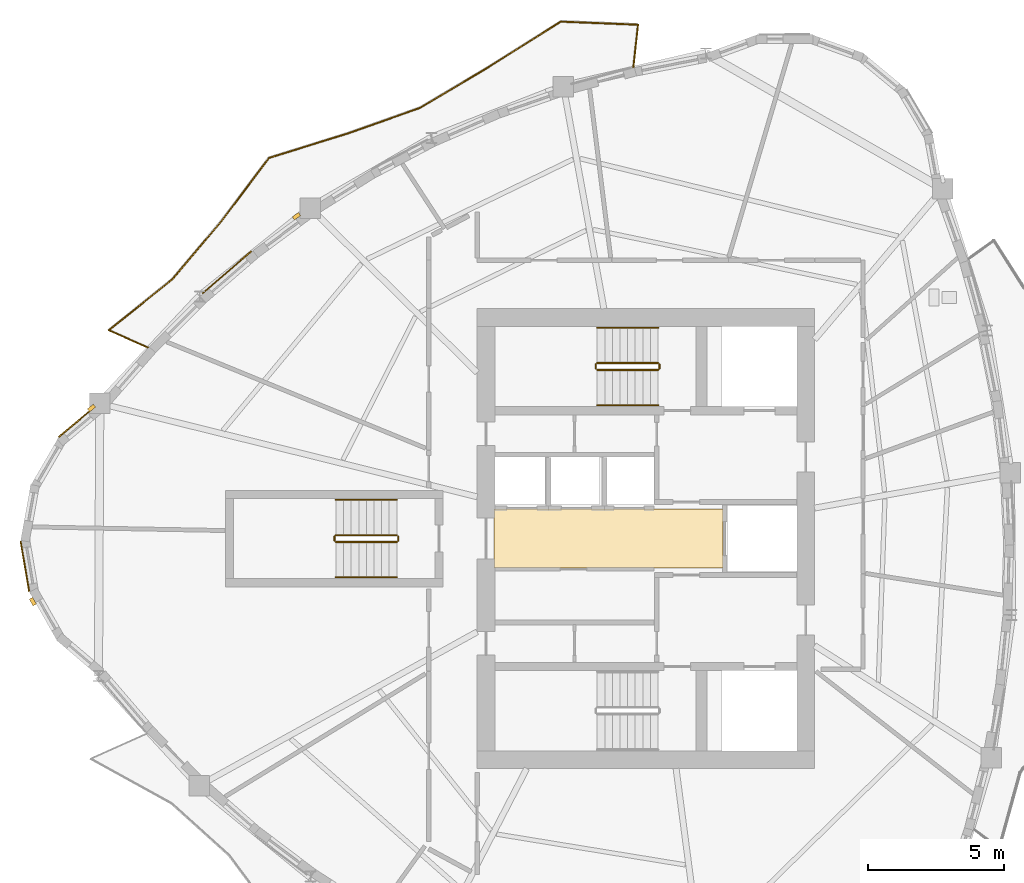
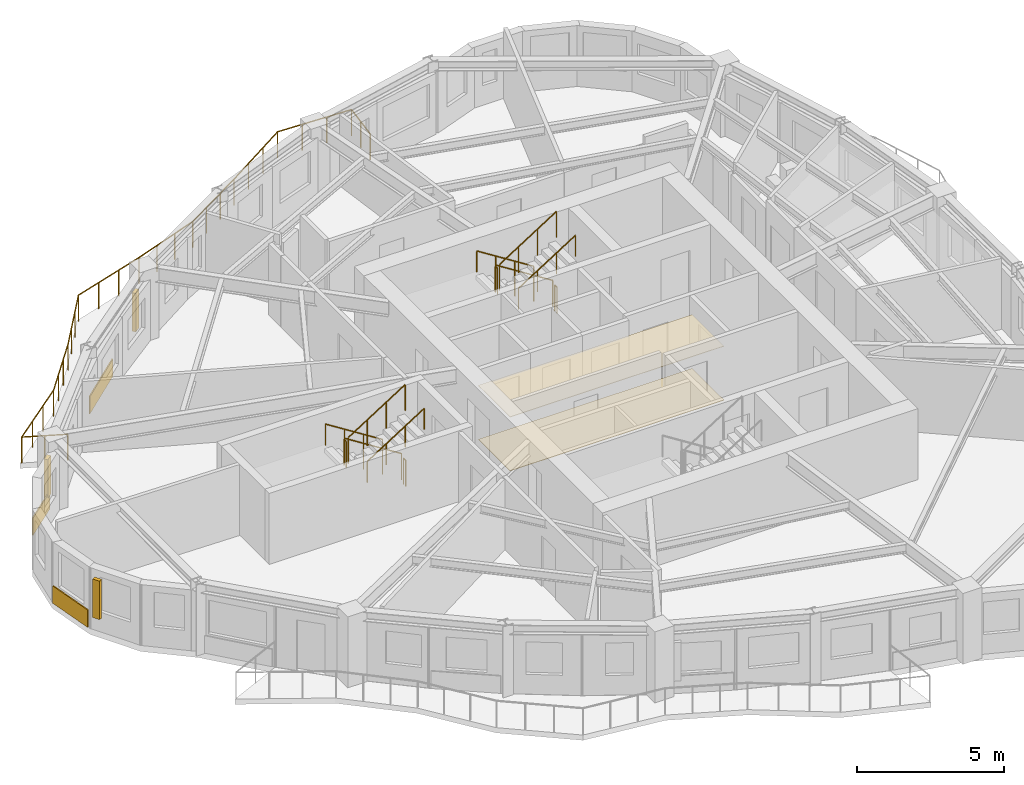
# One storey, part 10 of 12: 13 railings, 5 coverings, 3 shading devices.
"""IFC4 building model written with IfcOpenShell, lengths in metres."""

from ifc_helpers import new_model, si_unit, direction, frame, origin, origin_2d, place, context, subcontext, project, spatial, polyline, rectangle, circle, outline, extrude, source, transform, mapped, material, layer, layer_set, type_object, element, save


model = new_model("IFC4")

# Units and contexts
model_context = context("Model", 3, precision=1e-05, world=origin(), true_north=direction((0.0, 1.0)))
body_context = subcontext(model_context, "Body", "Model", "MODEL_VIEW")
ifc_project = project(units=[si_unit("LENGTHUNIT", "METRE"), si_unit("AREAUNIT", "SQUARE_METRE"), si_unit("VOLUMEUNIT", "CUBIC_METRE"), si_unit("PLANEANGLEUNIT", "RADIAN"), si_unit("MASSUNIT", "GRAM", prefix="KILO")], contexts=[model_context])

# Site, building, storey
site_placement = place(None, origin())
site = spatial("IfcSite", under=ifc_project, at=site_placement, CompositionType="ELEMENT")
building_placement = place(site_placement, origin())
building = spatial("IfcBuilding", under=site, at=building_placement, Name="Qafzar Sky-Pleat Residences", CompositionType="ELEMENT")
storey_placement = place(building_placement, frame((0.0, 0.0, 177.800048828125)))
storey = spatial("IfcBuildingStorey", under=building, at=storey_placement, Name="L53", CompositionType="ELEMENT", Elevation=177.800048828125)

# Coverings
ifc_material_1 = material(Name="Perforated acoustic gypsum board ceiling")
ifc_layer_1 = layer(ifc_material_1, 0.02001953125)
ifc_layer_set_1 = layer_set([ifc_layer_1], Name="Perforated acoustic gypsum board ceiling")
covering_type_1 = type_object("IfcCoveringType", Name="COV-CEIL-ACOUSTIC", PredefinedType="CEILING", material=ifc_layer_set_1)
covering_1_placement = place(storey_placement, frame((0.0, 0.0, 2.239990234375)))
element("IfcCovering", 1, at=covering_1_placement, inside=storey, type_object=covering_type_1, Name="L53 Passenger Lift Lobby Acoustic Ceiling", PredefinedType="CEILING", context=body_context, shape_type="SweptSolid", body=[
    extrude(outline(polyline([(33.179931640625, 24.919921875), (24.77001953125, 24.919921875), (24.77001953125, 27.080078125), (33.179931640625, 27.080078125), (33.179931640625, 24.919921875)])), origin(), (0.0, 0.0, 1.0), 0.02001953125),
])
ifc_material_2 = material(Name="Honed porcelain and Riyadh stone tile flooring", Category="masonry")
ifc_layer_2 = layer(ifc_material_2, 0.02001953125)
ifc_layer_set_2 = layer_set([ifc_layer_2], Name="Honed porcelain and Riyadh stone tile flooring")
covering_type_2 = type_object("IfcCoveringType", Name="COV-FLR-PORCELAIN", PredefinedType="FLOORING", material=ifc_layer_set_2)
covering_2_placement = place(storey_placement, origin())
element("IfcCovering", 2, at=covering_2_placement, inside=storey, type_object=covering_type_2, Name="L53 Passenger Lift Lobby Honed Stone Flooring", PredefinedType="FLOORING", context=body_context, shape_type="SweptSolid", body=[
    extrude(outline(polyline([(33.179931640625, 24.919921875), (24.77001953125, 24.919921875), (24.77001953125, 27.080078125), (33.179931640625, 27.080078125), (33.179931640625, 24.919921875)])), origin(), (0.0, 0.0, 1.0), 0.02001953125),
])

# Shading devices
ifc_material_3 = material(Name="Honed Riyadh limestone solar fin", Category="masonry")
ifc_layer_3 = layer(ifc_material_3, 0.139892578125)
ifc_layer_set_3 = layer_set([ifc_layer_3], Name="Honed Riyadh limestone solar fin")
shading_device_type = type_object("IfcShadingDeviceType", Name="SHD-FIN-STONE", PredefinedType="SHUTTER", material=ifc_layer_set_3)
shared_shape_1 = source(origin(), body_context, "Body", "SweptSolid", [
    extrude(rectangle(XDim=0.139892578125, YDim=0.280029296875, at=origin_2d()), origin(), (0.0, 0.0, 1.0), 1.60009765625),
])
for number, where, z_axis, x_axis, name in (
    (3, (9.977783203125, 30.7958984375, 0.599853515625), (0.0, 0.0, 1.0), (-0.642173926269, 0.766558966042, 0.0), "L53 Limestone Solar Fin 1"),
    (4, (7.822998046875, 23.68310546875, 0.599853515625), (0.0, 0.0, 1.0), (-0.869636147996, -0.493693194301, 0.0), "L53 Limestone Solar Fin 5"),
    (5, (17.51025390625, 37.845947265625, 0.599853515625), (0.0, 0.0, 1.0), (-0.594869963507, 0.803821949512, 0.0), "L53 Limestone Solar Fin 45"),
):
    element("IfcShadingDevice", number, at=place(storey_placement, frame(where, z_axis=z_axis, x_axis=x_axis)), inside=storey, type_object=shading_device_type, Name=name, PredefinedType="SHUTTER", context=body_context, shape_type="MappedRepresentation", body=[
        mapped(shared_shape_1, transform((0.0, 0.0, 0.0), x_axis=(1.0, 0.0, 0.0), y_axis=(0.0, 1.0, 0.0), z_axis=(0.0, 0.0, 1.0), scale=1.0)),
    ])

# Covering
ifc_material_4 = material(Name="Honed Riyadh Tuwaiq limestone cladding", Category="masonry")
ifc_layer_4 = layer(ifc_material_4, 0.044921875)
ifc_layer_set_4 = layer_set([ifc_layer_4], Name="Honed Riyadh Tuwaiq limestone cladding")
covering_type_3 = type_object("IfcCoveringType", Name="COV-CLAD-STONE", PredefinedType="CLADDING", material=ifc_layer_set_4)
shared_shape_2 = source(origin(), body_context, "Body", "SweptSolid", [
    extrude(rectangle(XDim=1.872802734375, YDim=0.044921875, at=origin_2d()), origin(), (0.0, 0.0, 1.0), 0.719970703125),
])
covering_3_placement = place(storey_placement, frame((7.5302734375, 24.98046875, 0.02001953125), z_axis=(0.0, 0.0, 1.0), x_axis=(0.168083505524, -0.985772760412, 0.0)))
element("IfcCovering", 6, at=covering_3_placement, inside=storey, type_object=covering_type_3, Name="L53 Riyadh Limestone Spandrel Cladding 4", PredefinedType="CLADDING", context=body_context, shape_type="MappedRepresentation", body=[
    mapped(shared_shape_2, transform((0.0, 0.0, 0.0), x_axis=(1.0, 0.0, 0.0), y_axis=(0.0, 1.0, 0.0), z_axis=(0.0, 0.0, 1.0), scale=1.0)),
])

# Railing
ifc_material_5 = material(Name="Laminated glass and bronze steel balustrade", Category="steel")
railing_type_1 = type_object("IfcRailingType", Name="RAIL-BAL-1100", PredefinedType="BALUSTRADE", material=ifc_material_5)
shared_shape_3 = source(origin(), body_context, "Body", "SweptSolid", [
    extrude(circle(Radius=0.02392578125, at=origin_2d()), frame((0.0, 0.0, 1.076171875), z_axis=(0.108461410542, 0.994100660106, 0.0), x_axis=(-0.994100660106, 0.108461410542, 0.0)), (0.0, 0.0, 1.0), 1.577880859375),
    extrude(circle(Radius=0.02392578125, at=origin_2d()), frame((0.171142578125, 1.568603515625, 1.076171875), z_axis=(-0.999194909063, 0.040118994285, 0.0), x_axis=(-0.040118994285, -0.999194909063, 0.0)), (0.0, 0.0, 1.0), 2.841796875),
    extrude(circle(Radius=0.02392578125, at=origin_2d()), frame((-2.66845703125, 1.6826171875, 1.076171875), z_axis=(-0.846148056043, -0.532947902947, 0.0), x_axis=(0.532947902947, -0.846148056043, 0.0)), (0.0, 0.0, 1.0), 3.174072265625),
    extrude(circle(Radius=0.02392578125, at=origin_2d()), frame((-5.354248046875, -0.009033203125, 1.076171875), z_axis=(-0.85916719873, -0.511694952708, 0.0), x_axis=(0.511694952708, -0.85916719873, 0.0)), (0.0, 0.0, 1.0), 2.886962890625),
    extrude(circle(Radius=0.02392578125, at=origin_2d()), frame((-7.834716796875, -1.486328125, 1.076171875), z_axis=(-0.942773892816, -0.333432732385, 0.0), x_axis=(0.333432732385, -0.942773892816, 0.0)), (0.0, 0.0, 1.0), 2.81396484375),
    extrude(circle(Radius=0.02392578125, at=origin_2d()), frame((-10.487548828125, -2.424560546875, 1.076171875), z_axis=(-0.954969167294, -0.296705054755, 0.0), x_axis=(0.296705054755, -0.954969167294, 0.0)), (0.0, 0.0, 1.0), 3.037841796875),
    extrude(circle(Radius=0.02392578125, at=origin_2d()), frame((-13.388671875, -3.325927734375, 1.076171875), z_axis=(-0.601041730747, -0.799217641135, 0.0), x_axis=(0.799217641135, -0.601041730747, 0.0)), (0.0, 0.0, 1.0), 2.92333984375),
    extrude(circle(Radius=0.02392578125, at=origin_2d()), frame((-15.145751953125, -5.662353515625, 1.076171875), z_axis=(-0.645698045806, -0.763592845463, 0.0), x_axis=(0.763592845463, -0.645698045806, 0.0)), (0.0, 0.0, 1.0), 2.779052734375),
    extrude(circle(Radius=0.02392578125, at=origin_2d()), frame((-16.940185546875, -7.784423828125, 1.076171875), z_axis=(-0.77980175034, -0.626026541103, 0.0), x_axis=(0.626026541103, -0.77980175034, 0.0)), (0.0, 0.0, 1.0), 2.994384765625),
    extrude(circle(Radius=0.02392578125, at=origin_2d()), frame((-19.275146484375, -9.658935546875, 1.076171875), z_axis=(0.915178094517, -0.403049693359, 0.0), x_axis=(0.403049693359, 0.915178094517, 0.0)), (0.0, 0.0, 1.0), 1.577880859375),
    extrude(circle(Radius=0.02099609375, at=origin_2d()), origin(), (0.0, 0.0, 1.0), 1.052001953125),
    extrude(circle(Radius=0.02099609375, at=origin_2d()), frame((0.08544921875, 0.7841796875, 0.0)), (0.0, 0.0, 1.0), 1.052001953125),
    extrude(circle(Radius=0.02099609375, at=origin_2d()), frame((0.171142578125, 1.568603515625, 0.0)), (0.0, 0.0, 1.0), 1.052001953125),
    extrude(circle(Radius=0.02099609375, at=origin_2d()), frame((-0.775390625, 1.606689453125, 0.0)), (0.0, 0.0, 1.0), 1.052001953125),
    extrude(circle(Radius=0.02099609375, at=origin_2d()), frame((-1.721923828125, 1.64453125, 0.0)), (0.0, 0.0, 1.0), 1.052001953125),
    extrude(circle(Radius=0.02099609375, at=origin_2d()), frame((-2.66845703125, 1.6826171875, 0.0)), (0.0, 0.0, 1.0), 1.052001953125),
    extrude(circle(Radius=0.02099609375, at=origin_2d()), frame((-3.563720703125, 1.11865234375, 0.0)), (0.0, 0.0, 1.0), 1.052001953125),
    extrude(circle(Radius=0.02099609375, at=origin_2d()), frame((-4.458984375, 0.554931640625, 0.0)), (0.0, 0.0, 1.0), 1.052001953125),
    extrude(circle(Radius=0.02099609375, at=origin_2d()), frame((-5.354248046875, -0.009033203125, 0.0)), (0.0, 0.0, 1.0), 1.052001953125),
    extrude(circle(Radius=0.02099609375, at=origin_2d()), frame((-6.18115234375, -0.50146484375, 0.0)), (0.0, 0.0, 1.0), 1.052001953125),
    extrude(circle(Radius=0.02099609375, at=origin_2d()), frame((-7.0078125, -0.993896484375, 0.0)), (0.0, 0.0, 1.0), 1.052001953125),
    extrude(circle(Radius=0.02099609375, at=origin_2d()), frame((-7.834716796875, -1.486328125, 0.0)), (0.0, 0.0, 1.0), 1.052001953125),
    extrude(circle(Radius=0.02099609375, at=origin_2d()), frame((-8.718994140625, -1.799072265625, 0.0)), (0.0, 0.0, 1.0), 1.052001953125),
    extrude(circle(Radius=0.02099609375, at=origin_2d()), frame((-9.603271484375, -2.11181640625, 0.0)), (0.0, 0.0, 1.0), 1.052001953125),
    extrude(circle(Radius=0.02099609375, at=origin_2d()), frame((-10.487548828125, -2.424560546875, 0.0)), (0.0, 0.0, 1.0), 1.052001953125),
    extrude(circle(Radius=0.02099609375, at=origin_2d()), frame((-11.45458984375, -2.72509765625, 0.0)), (0.0, 0.0, 1.0), 1.052001953125),
    extrude(circle(Radius=0.02099609375, at=origin_2d()), frame((-12.421630859375, -3.025390625, 0.0)), (0.0, 0.0, 1.0), 1.052001953125),
    extrude(circle(Radius=0.02099609375, at=origin_2d()), frame((-13.388671875, -3.325927734375, 0.0)), (0.0, 0.0, 1.0), 1.052001953125),
    extrude(circle(Radius=0.02099609375, at=origin_2d()), frame((-13.974365234375, -4.104736328125, 0.0)), (0.0, 0.0, 1.0), 1.052001953125),
    extrude(circle(Radius=0.02099609375, at=origin_2d()), frame((-14.56005859375, -4.883544921875, 0.0)), (0.0, 0.0, 1.0), 1.052001953125),
    extrude(circle(Radius=0.02099609375, at=origin_2d()), frame((-15.145751953125, -5.662353515625, 0.0)), (0.0, 0.0, 1.0), 1.052001953125),
    extrude(circle(Radius=0.02099609375, at=origin_2d()), frame((-15.743896484375, -6.36962890625, 0.0)), (0.0, 0.0, 1.0), 1.052001953125),
    extrude(circle(Radius=0.02099609375, at=origin_2d()), frame((-16.342041015625, -7.0771484375, 0.0)), (0.0, 0.0, 1.0), 1.052001953125),
    extrude(circle(Radius=0.02099609375, at=origin_2d()), frame((-16.940185546875, -7.784423828125, 0.0)), (0.0, 0.0, 1.0), 1.052001953125),
    extrude(circle(Radius=0.02099609375, at=origin_2d()), frame((-17.718505859375, -8.4091796875, 0.0)), (0.0, 0.0, 1.0), 1.052001953125),
    extrude(circle(Radius=0.02099609375, at=origin_2d()), frame((-18.496826171875, -9.0341796875, 0.0)), (0.0, 0.0, 1.0), 1.052001953125),
    extrude(circle(Radius=0.02099609375, at=origin_2d()), frame((-19.275146484375, -9.658935546875, 0.0)), (0.0, 0.0, 1.0), 1.052001953125),
    extrude(circle(Radius=0.02099609375, at=origin_2d()), frame((-18.55322265625, -9.97705078125, 0.0)), (0.0, 0.0, 1.0), 1.052001953125),
    extrude(circle(Radius=0.02099609375, at=origin_2d()), frame((-17.8310546875, -10.294921875, 0.0)), (0.0, 0.0, 1.0), 1.052001953125),
])
railing_placement = place(storey_placement, frame((29.890869140625, 43.314453125, 0.0)))
element("IfcRailing", 7, at=railing_placement, inside=storey, type_object=railing_type_1, Name="L53 Pleated Balcony 2 Balustrade", PredefinedType="BALUSTRADE", context=body_context, shape_type="MappedRepresentation", body=[
    mapped(shared_shape_3, transform((0.0, 0.0, 0.0), x_axis=(1.0, 0.0, 0.0), y_axis=(0.0, 1.0, 0.0), z_axis=(0.0, 0.0, 1.0), scale=1.0)),
])

# Coverings
shared_shape_4 = source(origin(), body_context, "Body", "SweptSolid", [
    extrude(rectangle(XDim=1.690185546875, YDim=0.044921875, at=origin_2d()), origin(), (0.0, 0.0, 1.0), 0.719970703125),
])
covering_4_placement = place(storey_placement, frame((9.4228515625, 30.27490234375, 0.02001953125), z_axis=(0.0, 0.0, 1.0), x_axis=(-0.766555899937, -0.642177586242, 0.0)))
element("IfcCovering", 8, at=covering_4_placement, inside=storey, type_object=covering_type_3, Name="L53 Riyadh Limestone Spandrel Cladding 1", PredefinedType="CLADDING", context=body_context, shape_type="MappedRepresentation", body=[
    mapped(shared_shape_4, transform((0.0, 0.0, 0.0), x_axis=(1.0, 0.0, 0.0), y_axis=(0.0, 1.0, 0.0), z_axis=(0.0, 0.0, 1.0), scale=1.0)),
])
shared_shape_5 = source(origin(), body_context, "Body", "SweptSolid", [
    extrude(rectangle(XDim=2.372314453125, YDim=0.044921875, at=origin_2d()), origin(), (0.0, 0.0, 1.0), 0.719970703125),
])
covering_5_placement = place(storey_placement, frame((14.955078125, 35.783447265625, 0.02001953125), z_axis=(0.0, 0.0, 1.0), x_axis=(-0.757486299872, -0.652851059206, 0.0)))
element("IfcCovering", 9, at=covering_5_placement, inside=storey, type_object=covering_type_3, Name="L53 Riyadh Limestone Spandrel Cladding 46", PredefinedType="CLADDING", context=body_context, shape_type="MappedRepresentation", body=[
    mapped(shared_shape_5, transform((0.0, 0.0, 0.0), x_axis=(1.0, 0.0, 0.0), y_axis=(0.0, 1.0, 0.0), z_axis=(0.0, 0.0, 1.0), scale=1.0)),
])

# Railings
ifc_material_6 = material(Name="Painted Steel S355 stair guardrail", Category="steel")
railing_type_2 = type_object("IfcRailingType", Name="RAIL-STAIR-GUARD", PredefinedType="GUARDRAIL", material=ifc_material_6)
shared_shape_6 = source(origin(), body_context, "Body", "SweptSolid", [
    extrude(circle(Radius=0.02392578125, at=origin_2d()), frame((0.0, 0.0, 1.076171875), z_axis=(0.0, -1.0, 0.0), x_axis=(1.0, 0.0, 0.0)), (0.0, 0.0, 1.0), 0.14990234375),
    extrude(circle(Radius=0.02099609375, at=origin_2d()), origin(), (0.0, 0.0, 1.0), 1.052001953125),
    extrude(circle(Radius=0.02099609375, at=origin_2d()), frame((0.0, -0.14990234375, 0.0)), (0.0, 0.0, 1.0), 1.052001953125),
])
for number, where, name in (
    (10, (28.510009765625, 32.39990234375, 1.599853515625), "L53 ST2 stair guard 2"),
    (11, (30.85009765625, 32.39990234375, 0.0), "L53 ST2 stair guard 4"),
    (12, (18.909912109375, 26.074951171875, 1.599853515625), "L53 ST3 stair guard 2"),
    (13, (21.25, 26.074951171875, 0.0), "L53 ST3 stair guard 4"),
):
    element("IfcRailing", number, at=place(storey_placement, frame(where)), inside=storey, type_object=railing_type_2, Name=name, PredefinedType="GUARDRAIL", context=body_context, shape_type="MappedRepresentation", body=[
        mapped(shared_shape_6, transform((0.0, 0.0, 0.0), x_axis=(1.0, 0.0, 0.0), y_axis=(0.0, 1.0, 0.0), z_axis=(0.0, 0.0, 1.0), scale=1.0)),
    ])
shared_shape_7 = source(origin(), body_context, "Body", "SweptSolid", [
    extrude(circle(Radius=0.02392578125, at=origin_2d()), frame((0.0, 0.0, 1.076171875), z_axis=(-0.8442293374, 0.0, 0.53598211339), x_axis=(0.0, -1.0, 0.0)), (0.0, 0.0, 1.0), 2.6533203125),
    extrude(circle(Radius=0.02099609375, at=origin_2d()), origin(), (0.0, 0.0, 1.0), 1.052001953125),
    extrude(circle(Radius=0.02099609375, at=origin_2d()), frame((-0.74658203125, 0.0, 0.47412109375)), (0.0, 0.0, 1.0), 1.052001953125),
    extrude(circle(Radius=0.02099609375, at=origin_2d()), frame((-1.493408203125, 0.0, 0.947998046875)), (0.0, 0.0, 1.0), 1.052001953125),
    extrude(circle(Radius=0.02099609375, at=origin_2d()), frame((-2.239990234375, 0.0, 1.422119140625)), (0.0, 0.0, 1.0), 1.052001953125),
])
for number, where, name in (
    (14, (30.800048828125, 32.449951171875, 0.177734375), "L53 ST2 stair guard 1"),
    (15, (21.199951171875, 26.125, 0.177734375), "L53 ST3 stair guard 1"),
):
    element("IfcRailing", number, at=place(storey_placement, frame(where)), inside=storey, type_object=railing_type_2, Name=name, PredefinedType="GUARDRAIL", context=body_context, shape_type="MappedRepresentation", body=[
        mapped(shared_shape_7, transform((0.0, 0.0, 0.0), x_axis=(1.0, 0.0, 0.0), y_axis=(0.0, 1.0, 0.0), z_axis=(0.0, 0.0, 1.0), scale=1.0)),
    ])
shared_shape_8 = source(origin(), body_context, "Body", "SweptSolid", [
    extrude(circle(Radius=0.02392578125, at=origin_2d()), frame((0.0, 0.0, 1.076171875), z_axis=(0.8442293374, 0.0, 0.53598211339), x_axis=(0.0, 1.0, 0.0)), (0.0, 0.0, 1.0), 2.6533203125),
    extrude(circle(Radius=0.02099609375, at=origin_2d()), origin(), (0.0, 0.0, 1.0), 1.052001953125),
    extrude(circle(Radius=0.02099609375, at=origin_2d()), frame((0.74658203125, 0.0, 0.47412109375)), (0.0, 0.0, 1.0), 1.052001953125),
    extrude(circle(Radius=0.02099609375, at=origin_2d()), frame((1.493408203125, 0.0, 0.947998046875)), (0.0, 0.0, 1.0), 1.052001953125),
    extrude(circle(Radius=0.02099609375, at=origin_2d()), frame((2.239990234375, 0.0, 1.422119140625)), (0.0, 0.0, 1.0), 1.052001953125),
])
for number, where, name in (
    (16, (28.56005859375, 32.199951171875, 1.77783203125), "L53 ST2 stair guard 3"),
    (17, (18.9599609375, 25.875, 1.77783203125), "L53 ST3 stair guard 3"),
):
    element("IfcRailing", number, at=place(storey_placement, frame(where)), inside=storey, type_object=railing_type_2, Name=name, PredefinedType="GUARDRAIL", context=body_context, shape_type="MappedRepresentation", body=[
        mapped(shared_shape_8, transform((0.0, 0.0, 0.0), x_axis=(1.0, 0.0, 0.0), y_axis=(0.0, 1.0, 0.0), z_axis=(0.0, 0.0, 1.0), scale=1.0)),
    ])
ifc_material_7 = material(Name="Brushed stainless steel handrail", Category="steel")
railing_type_3 = type_object("IfcRailingType", Name="RAIL-STAIR-HAND", PredefinedType="HANDRAIL", material=ifc_material_7)
shared_shape_9 = source(origin(), body_context, "Body", "SweptSolid", [
    extrude(circle(Radius=0.02392578125, at=origin_2d()), frame((0.0, 0.0, 0.8759765625), z_axis=(-0.8442293374, 0.0, 0.53598211339), x_axis=(0.0, -1.0, 0.0)), (0.0, 0.0, 1.0), 2.6533203125),
    extrude(circle(Radius=0.02099609375, at=origin_2d()), origin(), (0.0, 0.0, 1.0), 0.851806640625),
    extrude(circle(Radius=0.02099609375, at=origin_2d()), frame((-0.74658203125, 0.0, 0.47412109375)), (0.0, 0.0, 1.0), 0.851806640625),
    extrude(circle(Radius=0.02099609375, at=origin_2d()), frame((-1.493408203125, 0.0, 0.947998046875)), (0.0, 0.0, 1.0), 0.851806640625),
    extrude(circle(Radius=0.02099609375, at=origin_2d()), frame((-2.239990234375, 0.0, 1.422119140625)), (0.0, 0.0, 1.0), 0.851806640625),
])
for number, where, name in (
    (18, (30.800048828125, 33.75, 0.177734375), "L53 ST2 stair handrail 1"),
    (19, (21.199951171875, 27.425048828125, 0.177734375), "L53 ST3 stair handrail 1"),
):
    element("IfcRailing", number, at=place(storey_placement, frame(where)), inside=storey, type_object=railing_type_3, Name=name, PredefinedType="HANDRAIL", context=body_context, shape_type="MappedRepresentation", body=[
        mapped(shared_shape_9, transform((0.0, 0.0, 0.0), x_axis=(1.0, 0.0, 0.0), y_axis=(0.0, 1.0, 0.0), z_axis=(0.0, 0.0, 1.0), scale=1.0)),
    ])
shared_shape_10 = source(origin(), body_context, "Body", "SweptSolid", [
    extrude(circle(Radius=0.02392578125, at=origin_2d()), frame((0.0, 0.0, 0.8759765625), z_axis=(0.8442293374, 0.0, 0.53598211339), x_axis=(0.0, 1.0, 0.0)), (0.0, 0.0, 1.0), 2.6533203125),
    extrude(circle(Radius=0.02099609375, at=origin_2d()), origin(), (0.0, 0.0, 1.0), 0.851806640625),
    extrude(circle(Radius=0.02099609375, at=origin_2d()), frame((0.74658203125, 0.0, 0.47412109375)), (0.0, 0.0, 1.0), 0.851806640625),
    extrude(circle(Radius=0.02099609375, at=origin_2d()), frame((1.493408203125, 0.0, 0.947998046875)), (0.0, 0.0, 1.0), 0.851806640625),
    extrude(circle(Radius=0.02099609375, at=origin_2d()), frame((2.239990234375, 0.0, 1.422119140625)), (0.0, 0.0, 1.0), 0.851806640625),
])
for number, where, name in (
    (20, (28.56005859375, 30.89990234375, 1.77783203125), "L53 ST2 stair handrail 2"),
    (21, (18.9599609375, 24.574951171875, 1.77783203125), "L53 ST3 stair handrail 2"),
):
    element("IfcRailing", number, at=place(storey_placement, frame(where)), inside=storey, type_object=railing_type_3, Name=name, PredefinedType="HANDRAIL", context=body_context, shape_type="MappedRepresentation", body=[
        mapped(shared_shape_10, transform((0.0, 0.0, 0.0), x_axis=(1.0, 0.0, 0.0), y_axis=(0.0, 1.0, 0.0), z_axis=(0.0, 0.0, 1.0), scale=1.0)),
    ])

save(model, "model.ifc")
